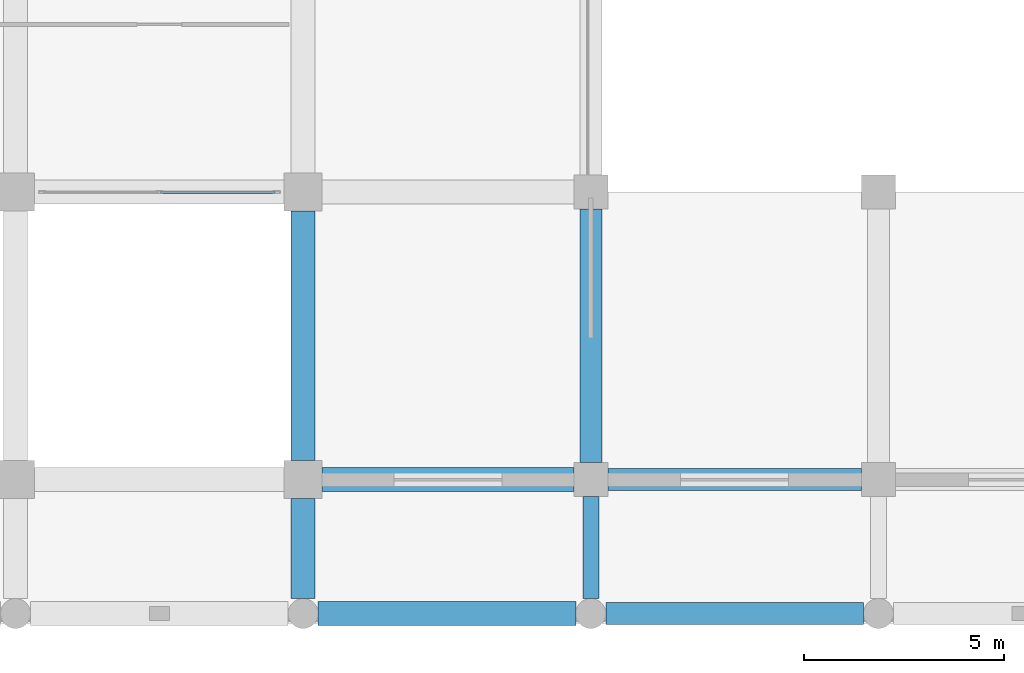
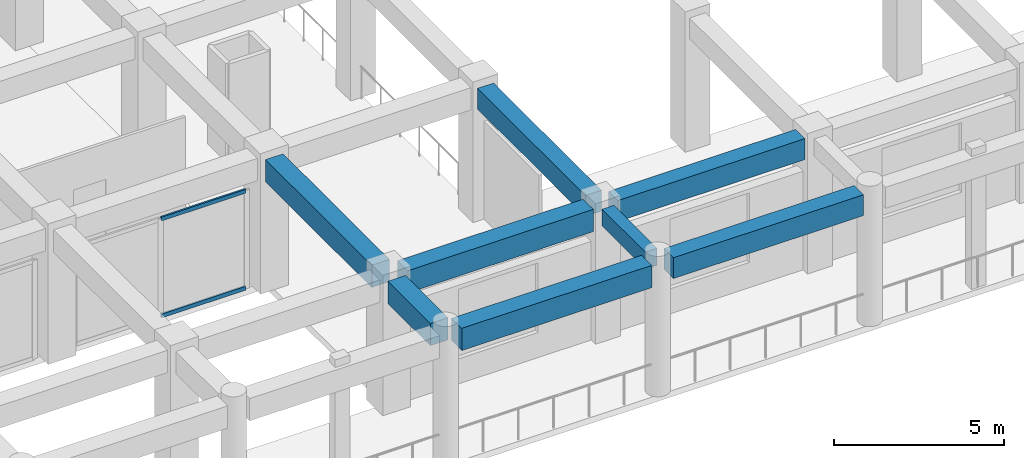
# One storey, part 17 of 54: 8 beams, 2 members, 1 element without a shape of its own.
"""IFC4 building model written with IfcOpenShell, lengths in metres."""

from ifc_helpers import new_model, si_unit, direction, frame, origin, origin_2d, place, context, subcontext, project, spatial, rectangle, hollow_rectangle, extrude, material, material_profile, profile_set, type_object, element, aggregate, save


model = new_model("IFC4")

# Units and contexts
model_context = context("Model", 3, precision=1e-05, world=origin(), true_north=direction((0.0, 1.0)))
body_context = subcontext(model_context, "Body", "Model", "MODEL_VIEW")
ifc_project = project(units=[si_unit("LENGTHUNIT", "METRE"), si_unit("AREAUNIT", "SQUARE_METRE"), si_unit("VOLUMEUNIT", "CUBIC_METRE"), si_unit("PLANEANGLEUNIT", "RADIAN"), si_unit("MASSUNIT", "GRAM", prefix="KILO")], contexts=[model_context])

# Site, building, storey
site_placement = place(None, origin())
site = spatial("IfcSite", under=ifc_project, at=site_placement, CompositionType="ELEMENT")
building_placement = place(site_placement, origin())
building = spatial("IfcBuilding", under=site, at=building_placement, Name="Kazehaya Institute of Natural Sciences", CompositionType="ELEMENT")
storey_placement = place(building_placement, frame((0.0, 0.0, 5.39990234375)))
storey = spatial("IfcBuildingStorey", under=building, at=storey_placement, Name="L01", CompositionType="ELEMENT", Elevation=5.39990234375)

# Beams
ifc_material_1 = material(Name="Concrete Fc36", Category="concrete")
ifc_material_profile_1 = material_profile(ifc_material_1, rectangle(XDim=0.39990234375, YDim=0.60009765625, at=origin_2d()), Name="RC-400x600")
ifc_profile_set_1 = profile_set([ifc_material_profile_1], Name="Concrete Fc36")
beam_type_1 = type_object("IfcBeamType", Name="BM-B-400x600", PredefinedType="BEAM", material=ifc_profile_set_1)
beam_1_placement = place(storey_placement, frame((126.60009765625, 3.824951171875, 4.47021484375), z_axis=(0.0, 1.0, 0.0), x_axis=(-1.0, 0.0, 0.0)))
element("IfcBeam", 1, at=beam_1_placement, inside=storey, type_object=beam_type_1, Name="L01 primary Y girder BMY-L01-1266-34", PredefinedType="BEAM", context=body_context, shape_type="SweptSolid", body=[
    extrude(rectangle(XDim=0.39990234375, YDim=0.60009765625, at=origin_2d()), origin(), (0.0, 0.0, 1.0), 2.550048828125),
])
ifc_material_profile_2 = material_profile(ifc_material_1, rectangle(XDim=0.550048828125, YDim=0.75, at=origin_2d()), Name="RC-550x750")
ifc_profile_set_2 = profile_set([ifc_material_profile_2], Name="Concrete Fc36")
beam_type_2 = type_object("IfcBeamType", Name="BM-G-550x750", PredefinedType="BEAM", material=ifc_profile_set_2)
beam_2_placement = place(storey_placement, frame((126.97509765625, 3.449951171875, 4.39501953125), z_axis=(1.0, 0.0, 0.0), x_axis=(0.0, 1.0, 0.0)))
element("IfcBeam", 2, at=beam_2_placement, inside=storey, type_object=beam_type_2, Name="L01 primary X girder BMX-L01-1266-34", PredefinedType="BEAM", context=body_context, shape_type="SweptSolid", body=[
    extrude(rectangle(XDim=0.550048828125, YDim=0.75, at=origin_2d()), origin(), (0.0, 0.0, 1.0), 6.449951171875),
])
beam_3_placement = place(storey_placement, frame((127.02490234375, 6.800048828125, 4.39501953125), z_axis=(1.0, 0.0, 0.0), x_axis=(0.0, 1.0, 0.0)))
element("IfcBeam", 3, at=beam_3_placement, inside=storey, type_object=beam_type_2, Name="L01 primary X girder BMX-L01-1266-68", PredefinedType="BEAM", context=body_context, shape_type="SweptSolid", body=[
    extrude(rectangle(XDim=0.550048828125, YDim=0.75, at=origin_2d()), origin(), (0.0, 0.0, 1.0), 6.35009765625),
])
beam_4_placement = place(storey_placement, frame((126.60009765625, 7.22509765625, 4.39501953125), z_axis=(0.0, 1.0, 0.0), x_axis=(-1.0, 0.0, 0.0)))
element("IfcBeam", 4, at=beam_4_placement, inside=storey, type_object=beam_type_2, Name="L01 primary Y girder BMY-L01-1266-68", PredefinedType="BEAM", context=body_context, shape_type="SweptSolid", body=[
    extrude(rectangle(XDim=0.550048828125, YDim=0.75, at=origin_2d()), origin(), (0.0, 0.0, 1.0), 6.349853515625),
])
ifc_material_profile_3 = material_profile(ifc_material_1, rectangle(XDim=0.60009765625, YDim=0.800048828125, at=origin_2d()), Name="RC-600x800")
ifc_profile_set_3 = profile_set([ifc_material_profile_3], Name="Concrete Fc36")
beam_type_3 = type_object("IfcBeamType", Name="BM-G-600x800", PredefinedType="BEAM", material=ifc_profile_set_3)
beam_5_placement = place(storey_placement, frame((119.77490234375, 3.449951171875, 4.3701171875), z_axis=(1.0, 0.0, 0.0), x_axis=(0.0, 1.0, 0.0)))
element("IfcBeam", 5, at=beam_5_placement, inside=storey, type_object=beam_type_3, Name="L01 primary X girder BMX-L01-1194-34", PredefinedType="BEAM", context=body_context, shape_type="SweptSolid", body=[
    extrude(rectangle(XDim=0.60009765625, YDim=0.800048828125, at=origin_2d()), origin(), (0.0, 0.0, 1.0), 6.4501953125),
])
beam_6_placement = place(storey_placement, frame((119.875, 6.800048828125, 4.3701171875), z_axis=(1.0, 0.0, 0.0), x_axis=(0.0, 1.0, 0.0)))
element("IfcBeam", 6, at=beam_6_placement, inside=storey, type_object=beam_type_3, Name="L01 primary X girder BMX-L01-1194-68", PredefinedType="BEAM", context=body_context, shape_type="SweptSolid", body=[
    extrude(rectangle(XDim=0.60009765625, YDim=0.800048828125, at=origin_2d()), origin(), (0.0, 0.0, 1.0), 6.300048828125),
])
beam_7_placement = place(storey_placement, frame((119.39990234375, 3.824951171875, 4.3701171875), z_axis=(0.0, 1.0, 0.0), x_axis=(-1.0, 0.0, 0.0)))
element("IfcBeam", 7, at=beam_7_placement, inside=storey, type_object=beam_type_3, Name="L01 primary Y girder BMY-L01-1194-34", PredefinedType="BEAM", context=body_context, shape_type="SweptSolid", body=[
    extrude(rectangle(XDim=0.60009765625, YDim=0.800048828125, at=origin_2d()), origin(), (0.0, 0.0, 1.0), 2.5),
])
beam_8_placement = place(storey_placement, frame((119.39990234375, 7.27490234375, 4.3701171875), z_axis=(0.0, 1.0, 0.0), x_axis=(-1.0, 0.0, 0.0)))
element("IfcBeam", 8, at=beam_8_placement, inside=storey, type_object=beam_type_3, Name="L01 primary Y girder BMY-L01-1194-68", PredefinedType="BEAM", context=body_context, shape_type="SweptSolid", body=[
    extrude(rectangle(XDim=0.60009765625, YDim=0.800048828125, at=origin_2d()), origin(), (0.0, 0.0, 1.0), 6.25),
])

# Curtain wall, members
ifc_material_2 = material(Name="Aluminium alloy A6063S-T5", Category="aluminium")
curtain_wall_type = type_object("IfcCurtainWallType", Name="CW-SYS-02", PredefinedType="NOTDEFINED", material=ifc_material_2)
curtain_wall_placement = place(storey_placement, origin())
curtain_wall = element("IfcCurtainWall", 9, at=curtain_wall_placement, inside=storey, type_object=curtain_wall_type, Name="L01 unitised curtain wall CW-L01-039", PredefinedType="NOTDEFINED")
ifc_material_profile_4 = material_profile(ifc_material_2, hollow_rectangle(XDim=0.06005859375, YDim=0.139892578125, WallThickness=0.00341796875, at=origin_2d()), Name="ALU-60x140x3.5")
ifc_profile_set_4 = profile_set([ifc_material_profile_4], Name="Aluminium alloy A6063S-T5")
member_type = type_object("IfcMemberType", Name="CWT-140", PredefinedType="USERDEFINED", material=ifc_profile_set_4)
member_1_placement = place(storey_placement, frame((118.699951171875, 14.0, 0.030029296875), z_axis=(-1.0, 0.0, 0.0), x_axis=(0.0, -1.0, 0.0)))
member_1 = element("IfcMember", 10, at=member_1_placement, type_object=member_type, Name="CW02 transom 1.1", ObjectType="TRANSOM", PredefinedType="USERDEFINED", context=body_context, shape_type="SweptSolid", body=[
    extrude(hollow_rectangle(XDim=0.06005859375, YDim=0.139892578125, WallThickness=0.00341796875, at=origin_2d()), origin(), (0.0, 0.0, 1.0), 2.869873046875),
])
member_2_placement = place(storey_placement, frame((118.699951171875, 14.0, 3.510009765625), z_axis=(-1.0, 0.0, 0.0), x_axis=(0.0, -1.0, 0.0)))
member_2 = element("IfcMember", 11, at=member_2_placement, type_object=member_type, Name="CW02 transom 1.2", ObjectType="TRANSOM", PredefinedType="USERDEFINED", context=body_context, shape_type="SweptSolid", body=[
    extrude(hollow_rectangle(XDim=0.06005859375, YDim=0.139892578125, WallThickness=0.00341796875, at=origin_2d()), origin(), (0.0, 0.0, 1.0), 2.869873046875),
])
aggregate(curtain_wall, [member_1, member_2])

save(model, "model.ifc")
